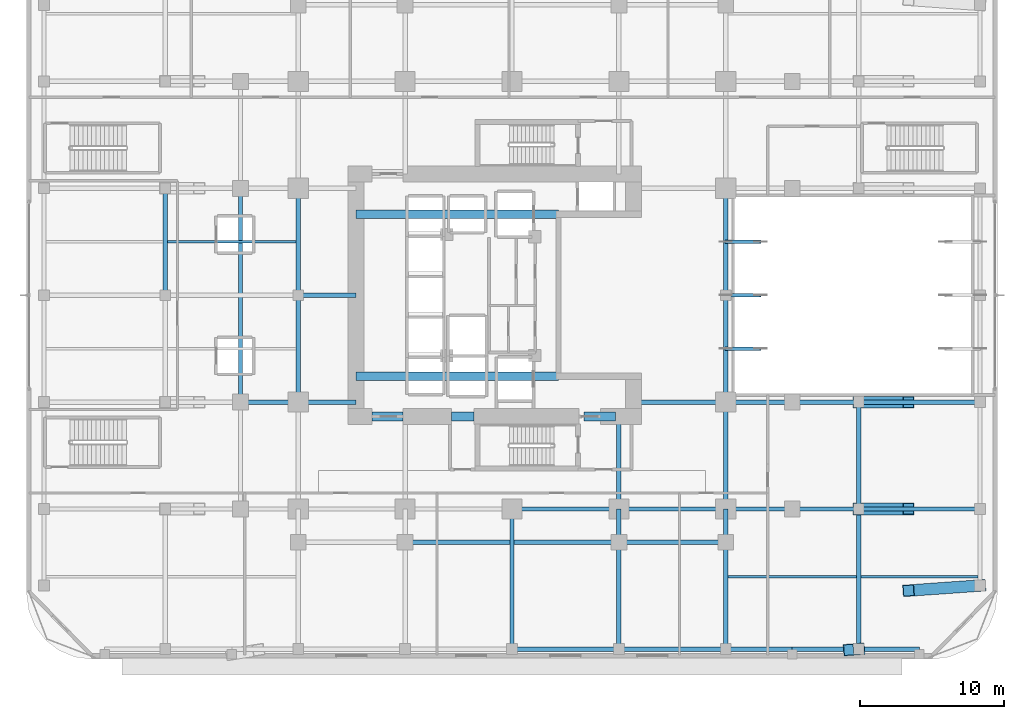
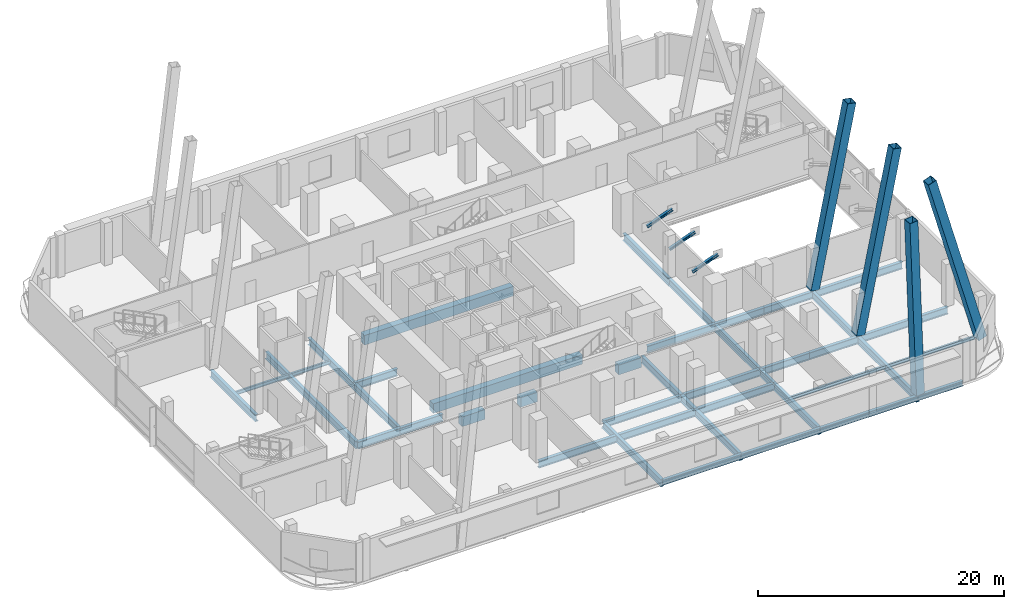
# One storey, part 5 of 23: 42 beams, 7 members.
"""IFC4 building model written with IfcOpenShell, lengths in metres."""

from ifc_helpers import new_model, si_unit, direction, frame, origin, origin_2d, place, context, subcontext, project, spatial, rectangle, hollow_rectangle, i_section, extrude, material, material_profile, profile_set, type_object, element, save


model = new_model("IFC4")

# Units and contexts
model_context = context("Model", 3, precision=1e-05, world=origin(), true_north=direction((0.0, 1.0)))
body_context = subcontext(model_context, "Body", "Model", "MODEL_VIEW")
ifc_project = project(units=[si_unit("LENGTHUNIT", "METRE"), si_unit("AREAUNIT", "SQUARE_METRE"), si_unit("VOLUMEUNIT", "CUBIC_METRE"), si_unit("PLANEANGLEUNIT", "RADIAN"), si_unit("MASSUNIT", "GRAM", prefix="KILO")], contexts=[model_context])

# Site, building, storey
site_placement = place(None, origin())
site = spatial("IfcSite", under=ifc_project, at=site_placement, CompositionType="ELEMENT")
building_placement = place(site_placement, origin())
building = spatial("IfcBuilding", under=site, at=building_placement, Name="Khorvyn Point Tower", CompositionType="ELEMENT")
storey_placement = place(building_placement, frame((0.0, 0.0, 9.0)))
storey = spatial("IfcBuildingStorey", under=building, at=storey_placement, Name="L03", CompositionType="ELEMENT", Elevation=9.0)

# Beams
ifc_material_1 = material(Name="Concrete C50/60", Category="concrete")
ifc_material_profile_1 = material_profile(ifc_material_1, rectangle(XDim=0.60009765625, YDim=0.949951171875, at=origin_2d()))
ifc_profile_set_1 = profile_set([ifc_material_profile_1], Name="Concrete C50/60 RC600x950")
beam_type_1 = type_object("IfcBeamType", Name="Concrete C50/60 Beam RC600x950", PredefinedType="BEAM", material=ifc_profile_set_1)
for number, where, z_axis, x_axis, name in (
    (1, (-10.800048828125, -5.60009765625, -0.715087890625), (1.0, 0.0, 0.0), (0.0, 1.0, 0.0), "L03 Core Internal Tie Girder S"),
    (2, (-10.800048828125, 5.60009765625, -0.715087890625), (1.0, 0.0, 0.0), (0.0, 1.0, 0.0), "L03 Core Internal Tie Girder N"),
):
    element("IfcBeam", number, at=place(storey_placement, frame(where, z_axis=z_axis, x_axis=x_axis)), inside=storey, type_object=beam_type_1, Name=name, PredefinedType="BEAM", context=body_context, shape_type="SweptSolid", body=[
        extrude(rectangle(XDim=0.60009765625, YDim=0.949951171875, at=origin_2d()), origin(), (0.0, 0.0, 1.0), 14.02001953125),
    ])
beam_1_placement = place(storey_placement, frame((-9.699951171875, -8.39990234375, -0.715087890625), z_axis=(1.0, 0.0, 0.0), x_axis=(0.0, 1.0, 0.0)))
element("IfcBeam", 3, at=beam_1_placement, inside=storey, type_object=beam_type_1, Name="L03 Core Southwest Portal Coupling Beam", PredefinedType="BEAM", context=body_context, shape_type="SweptSolid", body=[
    extrude(rectangle(XDim=0.60009765625, YDim=0.949951171875, at=origin_2d()), origin(), (0.0, 0.0, 1.0), 2.14990234375),
])
beam_2_placement = place(storey_placement, frame((-4.199951171875, -8.39990234375, -0.715087890625), z_axis=(1.0, 0.0, 0.0), x_axis=(0.0, 1.0, 0.0)))
element("IfcBeam", 4, at=beam_2_placement, inside=storey, type_object=beam_type_1, Name="L03 Core Shuttle Portal Coupling Beam", PredefinedType="BEAM", context=body_context, shape_type="SweptSolid", body=[
    extrude(rectangle(XDim=0.60009765625, YDim=0.949951171875, at=origin_2d()), origin(), (0.0, 0.0, 1.0), 1.579833984375),
])
beam_3_placement = place(storey_placement, frame((5.0, -8.39990234375, -0.715087890625), z_axis=(1.0, 0.0, 0.0), x_axis=(0.0, 1.0, 0.0)))
element("IfcBeam", 5, at=beam_3_placement, inside=storey, type_object=beam_type_1, Name="L03 Core Southeast Portal Coupling Beam", PredefinedType="BEAM", context=body_context, shape_type="SweptSolid", body=[
    extrude(rectangle(XDim=0.60009765625, YDim=0.949951171875, at=origin_2d()), origin(), (0.0, 0.0, 1.0), 2.14990234375),
])
ifc_material_2 = material(Name="Steel S355", Category="steel")
ifc_material_profile_2 = material_profile(ifc_material_2, i_section(OverallWidth=0.300048828125, OverallDepth=0.699951171875, WebThickness=0.012939453125, FlangeThickness=0.02392578125, at=origin_2d()))
ifc_profile_set_2 = profile_set([ifc_material_profile_2], Name="Steel S355 H700x300x13x24")
beam_type_2 = type_object("IfcBeamType", Name="Steel S355 Beam H700x300x13x24", PredefinedType="BEAM", material=ifc_profile_set_2)
beam_4_placement = place(storey_placement, frame((0.0, -14.800048828125, -0.590087890625), z_axis=(1.0, 0.0, 0.0), x_axis=(0.0, 1.0, 0.0)))
element("IfcBeam", 6, at=beam_4_placement, inside=storey, type_object=beam_type_2, Name="Beam", PredefinedType="BEAM", context=body_context, shape_type="SweptSolid", body=[
    extrude(i_section(OverallWidth=0.300048828125, OverallDepth=0.699951171875, WebThickness=0.012939453125, FlangeThickness=0.02392578125, at=origin_2d()), origin(), (0.0, 0.0, 1.0), 7.39990234375),
])
beam_5_placement = place(storey_placement, frame((7.39990234375, -14.800048828125, -0.590087890625), z_axis=(1.0, 0.0, 0.0), x_axis=(0.0, 1.0, 0.0)))
element("IfcBeam", 7, at=beam_5_placement, inside=storey, type_object=beam_type_2, Name="Beam", PredefinedType="BEAM", context=body_context, shape_type="SweptSolid", body=[
    extrude(i_section(OverallWidth=0.300048828125, OverallDepth=0.699951171875, WebThickness=0.012939453125, FlangeThickness=0.02392578125, at=origin_2d()), origin(), (0.0, 0.0, 1.0), 7.400146484375),
])
beam_6_placement = place(storey_placement, frame((14.800048828125, -14.800048828125, -0.590087890625), z_axis=(1.0, 0.0, 0.0), x_axis=(0.0, 1.0, 0.0)))
element("IfcBeam", 8, at=beam_6_placement, inside=storey, type_object=beam_type_2, Name="Beam", PredefinedType="BEAM", context=body_context, shape_type="SweptSolid", body=[
    extrude(i_section(OverallWidth=0.300048828125, OverallDepth=0.699951171875, WebThickness=0.012939453125, FlangeThickness=0.02392578125, at=origin_2d()), origin(), (0.0, 0.0, 1.0), 4.599853515625),
])
beam_7_placement = place(storey_placement, frame((19.39990234375, -14.800048828125, -0.590087890625), z_axis=(1.0, 0.0, 0.0), x_axis=(0.0, 1.0, 0.0)))
element("IfcBeam", 9, at=beam_7_placement, inside=storey, type_object=beam_type_2, Name="Beam", PredefinedType="BEAM", context=body_context, shape_type="SweptSolid", body=[
    extrude(i_section(OverallWidth=0.300048828125, OverallDepth=0.699951171875, WebThickness=0.012939453125, FlangeThickness=0.02392578125, at=origin_2d()), origin(), (0.0, 0.0, 1.0), 4.60009765625),
])
beam_8_placement = place(storey_placement, frame((24.0, -14.800048828125, -0.590087890625), z_axis=(1.0, 0.0, 0.0), x_axis=(0.0, 1.0, 0.0)))
element("IfcBeam", 10, at=beam_8_placement, inside=storey, type_object=beam_type_2, Name="Beam", PredefinedType="BEAM", context=body_context, shape_type="SweptSolid", body=[
    extrude(i_section(OverallWidth=0.300048828125, OverallDepth=0.699951171875, WebThickness=0.012939453125, FlangeThickness=0.02392578125, at=origin_2d()), origin(), (0.0, 0.0, 1.0), 8.39990234375),
])
for number, where, z_axis, x_axis, name in (
    (11, (-18.800048828125, -7.39990234375, -0.590087890625), (1.0, 0.0, 0.0), (0.0, 1.0, 0.0), "Beam"),
    (12, (-14.800048828125, -7.39990234375, -0.590087890625), (1.0, 0.0, 0.0), (0.0, 1.0, 0.0), "Beam"),
):
    element("IfcBeam", number, at=place(storey_placement, frame(where, z_axis=z_axis, x_axis=x_axis)), inside=storey, type_object=beam_type_2, Name=name, PredefinedType="BEAM", context=body_context, shape_type="SweptSolid", body=[
        extrude(i_section(OverallWidth=0.300048828125, OverallDepth=0.699951171875, WebThickness=0.012939453125, FlangeThickness=0.02392578125, at=origin_2d()), origin(), (0.0, 0.0, 1.0), 4.0),
    ])
beam_9_placement = place(storey_placement, frame((8.39990234375, -7.39990234375, -0.590087890625), z_axis=(1.0, 0.0, 0.0), x_axis=(0.0, 1.0, 0.0)))
element("IfcBeam", 13, at=beam_9_placement, inside=storey, type_object=beam_type_2, Name="Beam", PredefinedType="BEAM", context=body_context, shape_type="SweptSolid", body=[
    extrude(i_section(OverallWidth=0.300048828125, OverallDepth=0.699951171875, WebThickness=0.012939453125, FlangeThickness=0.02392578125, at=origin_2d()), origin(), (0.0, 0.0, 1.0), 6.400146484375),
])
beam_10_placement = place(storey_placement, frame((14.800048828125, -7.39990234375, -0.590087890625), z_axis=(1.0, 0.0, 0.0), x_axis=(0.0, 1.0, 0.0)))
element("IfcBeam", 14, at=beam_10_placement, inside=storey, type_object=beam_type_2, Name="Beam", PredefinedType="BEAM", context=body_context, shape_type="SweptSolid", body=[
    extrude(i_section(OverallWidth=0.300048828125, OverallDepth=0.699951171875, WebThickness=0.012939453125, FlangeThickness=0.02392578125, at=origin_2d()), origin(), (0.0, 0.0, 1.0), 4.599853515625),
])
beam_11_placement = place(storey_placement, frame((19.39990234375, -7.39990234375, -0.590087890625), z_axis=(1.0, 0.0, 0.0), x_axis=(0.0, 1.0, 0.0)))
element("IfcBeam", 15, at=beam_11_placement, inside=storey, type_object=beam_type_2, Name="Beam", PredefinedType="BEAM", context=body_context, shape_type="SweptSolid", body=[
    extrude(i_section(OverallWidth=0.300048828125, OverallDepth=0.699951171875, WebThickness=0.012939453125, FlangeThickness=0.02392578125, at=origin_2d()), origin(), (0.0, 0.0, 1.0), 4.60009765625),
])
beam_12_placement = place(storey_placement, frame((24.0, -7.39990234375, -0.590087890625), z_axis=(1.0, 0.0, 0.0), x_axis=(0.0, 1.0, 0.0)))
element("IfcBeam", 16, at=beam_12_placement, inside=storey, type_object=beam_type_2, Name="Beam", PredefinedType="BEAM", context=body_context, shape_type="SweptSolid", body=[
    extrude(i_section(OverallWidth=0.300048828125, OverallDepth=0.699951171875, WebThickness=0.012939453125, FlangeThickness=0.02392578125, at=origin_2d()), origin(), (0.0, 0.0, 1.0), 8.39990234375),
])
beam_13_placement = place(storey_placement, frame((-14.800048828125, 0.0, -0.590087890625), z_axis=(1.0, 0.0, 0.0), x_axis=(0.0, 1.0, 0.0)))
element("IfcBeam", 17, at=beam_13_placement, inside=storey, type_object=beam_type_2, Name="Beam", PredefinedType="BEAM", context=body_context, shape_type="SweptSolid", body=[
    extrude(i_section(OverallWidth=0.300048828125, OverallDepth=0.699951171875, WebThickness=0.012939453125, FlangeThickness=0.02392578125, at=origin_2d()), origin(), (0.0, 0.0, 1.0), 4.0),
])
beam_14_placement = place(storey_placement, frame((-7.39990234375, -17.10009765625, -0.590087890625), z_axis=(1.0, 0.0, 0.0), x_axis=(0.0, 1.0, 0.0)))
element("IfcBeam", 18, at=beam_14_placement, inside=storey, type_object=beam_type_2, Name="Beam", PredefinedType="BEAM", context=body_context, shape_type="SweptSolid", body=[
    extrude(i_section(OverallWidth=0.300048828125, OverallDepth=0.699951171875, WebThickness=0.012939453125, FlangeThickness=0.02392578125, at=origin_2d()), origin(), (0.0, 0.0, 1.0), 14.7998046875),
])
beam_15_placement = place(storey_placement, frame((7.39990234375, -17.10009765625, -0.590087890625), z_axis=(1.0, 0.0, 0.0), x_axis=(0.0, 1.0, 0.0)))
element("IfcBeam", 19, at=beam_15_placement, inside=storey, type_object=beam_type_2, Name="Beam", PredefinedType="BEAM", context=body_context, shape_type="SweptSolid", body=[
    extrude(i_section(OverallWidth=0.300048828125, OverallDepth=0.699951171875, WebThickness=0.012939453125, FlangeThickness=0.02392578125, at=origin_2d()), origin(), (0.0, 0.0, 1.0), 7.400146484375),
])
for number, where, z_axis, x_axis, name in (
    (20, (-24.0, 0.0, -0.590087890625), (0.0, 1.0, 0.0), (-1.0, 0.0, 0.0), "Beam"),
    (21, (-14.800048828125, -7.39990234375, -0.590087890625), (0.0, 1.0, 0.0), (-1.0, 0.0, 0.0), "Beam"),
    (22, (-14.800048828125, 0.0, -0.590087890625), (0.0, 1.0, 0.0), (-1.0, 0.0, 0.0), "Beam"),
):
    element("IfcBeam", number, at=place(storey_placement, frame(where, z_axis=z_axis, x_axis=x_axis)), inside=storey, type_object=beam_type_2, Name=name, PredefinedType="BEAM", context=body_context, shape_type="SweptSolid", body=[
        extrude(i_section(OverallWidth=0.300048828125, OverallDepth=0.699951171875, WebThickness=0.012939453125, FlangeThickness=0.02392578125, at=origin_2d()), origin(), (0.0, 0.0, 1.0), 7.39990234375),
    ])
beam_16_placement = place(storey_placement, frame((0.0, -24.5, -0.590087890625), z_axis=(0.0, 1.0, 0.0), x_axis=(-1.0, 0.0, 0.0)))
element("IfcBeam", 23, at=beam_16_placement, inside=storey, type_object=beam_type_2, Name="Beam", PredefinedType="BEAM", context=body_context, shape_type="SweptSolid", body=[
    extrude(i_section(OverallWidth=0.300048828125, OverallDepth=0.699951171875, WebThickness=0.012939453125, FlangeThickness=0.02392578125, at=origin_2d()), origin(), (0.0, 0.0, 1.0), 9.699951171875),
])
beam_17_placement = place(storey_placement, frame((7.39990234375, -24.5, -0.590087890625), z_axis=(0.0, 1.0, 0.0), x_axis=(-1.0, 0.0, 0.0)))
element("IfcBeam", 24, at=beam_17_placement, inside=storey, type_object=beam_type_2, Name="Beam", PredefinedType="BEAM", context=body_context, shape_type="SweptSolid", body=[
    extrude(i_section(OverallWidth=0.300048828125, OverallDepth=0.699951171875, WebThickness=0.012939453125, FlangeThickness=0.02392578125, at=origin_2d()), origin(), (0.0, 0.0, 1.0), 7.39990234375),
])
beam_18_placement = place(storey_placement, frame((7.39990234375, -17.10009765625, -0.590087890625), z_axis=(0.0, 1.0, 0.0), x_axis=(-1.0, 0.0, 0.0)))
element("IfcBeam", 25, at=beam_18_placement, inside=storey, type_object=beam_type_2, Name="Beam", PredefinedType="BEAM", context=body_context, shape_type="SweptSolid", body=[
    extrude(i_section(OverallWidth=0.300048828125, OverallDepth=0.699951171875, WebThickness=0.012939453125, FlangeThickness=0.02392578125, at=origin_2d()), origin(), (0.0, 0.0, 1.0), 2.300048828125),
])
beam_19_placement = place(storey_placement, frame((7.39990234375, -14.800048828125, -0.590087890625), z_axis=(0.0, 1.0, 0.0), x_axis=(-1.0, 0.0, 0.0)))
element("IfcBeam", 26, at=beam_19_placement, inside=storey, type_object=beam_type_2, Name="Beam", PredefinedType="BEAM", context=body_context, shape_type="SweptSolid", body=[
    extrude(i_section(OverallWidth=0.300048828125, OverallDepth=0.699951171875, WebThickness=0.012939453125, FlangeThickness=0.02392578125, at=origin_2d()), origin(), (0.0, 0.0, 1.0), 6.400146484375),
])
beam_20_placement = place(storey_placement, frame((14.800048828125, -24.5, -0.590087890625), z_axis=(0.0, 1.0, 0.0), x_axis=(-1.0, 0.0, 0.0)))
element("IfcBeam", 27, at=beam_20_placement, inside=storey, type_object=beam_type_2, Name="Beam", PredefinedType="BEAM", context=body_context, shape_type="SweptSolid", body=[
    extrude(i_section(OverallWidth=0.300048828125, OverallDepth=0.699951171875, WebThickness=0.012939453125, FlangeThickness=0.02392578125, at=origin_2d()), origin(), (0.0, 0.0, 1.0), 7.39990234375),
])
beam_21_placement = place(storey_placement, frame((14.800048828125, -17.10009765625, -0.590087890625), z_axis=(0.0, 1.0, 0.0), x_axis=(-1.0, 0.0, 0.0)))
element("IfcBeam", 28, at=beam_21_placement, inside=storey, type_object=beam_type_2, Name="Beam", PredefinedType="BEAM", context=body_context, shape_type="SweptSolid", body=[
    extrude(i_section(OverallWidth=0.300048828125, OverallDepth=0.699951171875, WebThickness=0.012939453125, FlangeThickness=0.02392578125, at=origin_2d()), origin(), (0.0, 0.0, 1.0), 2.300048828125),
])
beam_22_placement = place(storey_placement, frame((14.800048828125, -14.800048828125, -0.590087890625), z_axis=(0.0, 1.0, 0.0), x_axis=(-1.0, 0.0, 0.0)))
element("IfcBeam", 29, at=beam_22_placement, inside=storey, type_object=beam_type_2, Name="Beam", PredefinedType="BEAM", context=body_context, shape_type="SweptSolid", body=[
    extrude(i_section(OverallWidth=0.300048828125, OverallDepth=0.699951171875, WebThickness=0.012939453125, FlangeThickness=0.02392578125, at=origin_2d()), origin(), (0.0, 0.0, 1.0), 7.400146484375),
])
for number, where, z_axis, x_axis, name in (
    (30, (14.800048828125, -7.39990234375, -0.590087890625), (0.0, 1.0, 0.0), (-1.0, 0.0, 0.0), "Beam"),
    (31, (14.800048828125, 0.0, -0.590087890625), (0.0, 1.0, 0.0), (-1.0, 0.0, 0.0), "Beam"),
):
    element("IfcBeam", number, at=place(storey_placement, frame(where, z_axis=z_axis, x_axis=x_axis)), inside=storey, type_object=beam_type_2, Name=name, PredefinedType="BEAM", context=body_context, shape_type="SweptSolid", body=[
        extrude(i_section(OverallWidth=0.300048828125, OverallDepth=0.699951171875, WebThickness=0.012939453125, FlangeThickness=0.02392578125, at=origin_2d()), origin(), (0.0, 0.0, 1.0), 7.39990234375),
    ])
beam_23_placement = place(storey_placement, frame((24.0, -24.5, -0.590087890625), z_axis=(0.0, 1.0, 0.0), x_axis=(-1.0, 0.0, 0.0)))
element("IfcBeam", 32, at=beam_23_placement, inside=storey, type_object=beam_type_2, Name="Beam", PredefinedType="BEAM", context=body_context, shape_type="SweptSolid", body=[
    extrude(i_section(OverallWidth=0.300048828125, OverallDepth=0.699951171875, WebThickness=0.012939453125, FlangeThickness=0.02392578125, at=origin_2d()), origin(), (0.0, 0.0, 1.0), 9.699951171875),
])
beam_24_placement = place(storey_placement, frame((24.0, -14.800048828125, -0.590087890625), z_axis=(0.0, 1.0, 0.0), x_axis=(-1.0, 0.0, 0.0)))
element("IfcBeam", 33, at=beam_24_placement, inside=storey, type_object=beam_type_2, Name="Beam", PredefinedType="BEAM", context=body_context, shape_type="SweptSolid", body=[
    extrude(i_section(OverallWidth=0.300048828125, OverallDepth=0.699951171875, WebThickness=0.012939453125, FlangeThickness=0.02392578125, at=origin_2d()), origin(), (0.0, 0.0, 1.0), 7.400146484375),
])
beam_25_placement = place(storey_placement, frame((-18.800048828125, -7.39990234375, -0.590087890625), z_axis=(0.0, 1.0, 0.0), x_axis=(-1.0, 0.0, 0.0)))
element("IfcBeam", 34, at=beam_25_placement, inside=storey, type_object=beam_type_2, Name="Beam", PredefinedType="BEAM", context=body_context, shape_type="SweptSolid", body=[
    extrude(i_section(OverallWidth=0.300048828125, OverallDepth=0.699951171875, WebThickness=0.012939453125, FlangeThickness=0.02392578125, at=origin_2d()), origin(), (0.0, 0.0, 1.0), 14.7998046875),
])
ifc_material_profile_3 = material_profile(ifc_material_2, i_section(OverallWidth=0.175048828125, OverallDepth=0.35009765625, WebThickness=0.007080078125, FlangeThickness=0.010986328125, at=origin_2d()))
ifc_profile_set_3 = profile_set([ifc_material_profile_3], Name="Steel S355 H350x175x7x11")
beam_type_3 = type_object("IfcBeamType", Name="Steel S355 Joist H350x175x7x11", PredefinedType="JOIST", material=ifc_profile_set_3)
beam_26_placement = place(storey_placement, frame((14.949951171875, -19.5, -0.4150390625), z_axis=(1.0, 0.0, 0.0), x_axis=(0.0, 1.0, 0.0)))
element("IfcBeam", 35, at=beam_26_placement, inside=storey, type_object=beam_type_3, Name="Beam", PredefinedType="JOIST", context=body_context, shape_type="SweptSolid", body=[
    extrude(i_section(OverallWidth=0.175048828125, OverallDepth=0.35009765625, WebThickness=0.007080078125, FlangeThickness=0.010986328125, at=origin_2d()), origin(), (0.0, 0.0, 1.0), 8.900146484375),
])
beam_27_placement = place(storey_placement, frame((24.14990234375, -19.5, -0.4150390625), z_axis=(1.0, 0.0, 0.0), x_axis=(0.0, 1.0, 0.0)))
element("IfcBeam", 36, at=beam_27_placement, inside=storey, type_object=beam_type_3, Name="Beam", PredefinedType="JOIST", context=body_context, shape_type="SweptSolid", body=[
    extrude(i_section(OverallWidth=0.175048828125, OverallDepth=0.35009765625, WebThickness=0.007080078125, FlangeThickness=0.010986328125, at=origin_2d()), origin(), (0.0, 0.0, 1.0), 8.10009765625),
])
beam_28_placement = place(storey_placement, frame((-23.85009765625, 3.699951171875, -0.4150390625), z_axis=(1.0, 0.0, 0.0), x_axis=(0.0, 1.0, 0.0)))
element("IfcBeam", 37, at=beam_28_placement, inside=storey, type_object=beam_type_3, Name="Beam", PredefinedType="JOIST", context=body_context, shape_type="SweptSolid", body=[
    extrude(i_section(OverallWidth=0.175048828125, OverallDepth=0.35009765625, WebThickness=0.007080078125, FlangeThickness=0.010986328125, at=origin_2d()), origin(), (0.0, 0.0, 1.0), 8.900146484375),
])
ifc_material_profile_4 = material_profile(ifc_material_2, i_section(OverallWidth=0.300048828125, OverallDepth=0.488037109375, WebThickness=0.010986328125, FlangeThickness=0.01806640625, at=origin_2d()))
ifc_profile_set_4 = profile_set([ifc_material_profile_4], Name="Steel S355 H488x300x11x18")
beam_type_4 = type_object("IfcBeamType", Name="Steel S355 Spandrel H488x300x11x18", PredefinedType="SPANDREL", material=ifc_profile_set_4)
beam_29_placement = place(storey_placement, frame((0.0, -24.5, -0.48388671875), z_axis=(1.0, 0.0, 0.0), x_axis=(0.0, 1.0, 0.0)))
element("IfcBeam", 38, at=beam_29_placement, inside=storey, type_object=beam_type_4, Name="Beam", PredefinedType="SPANDREL", context=body_context, shape_type="SweptSolid", body=[
    extrude(i_section(OverallWidth=0.300048828125, OverallDepth=0.488037109375, WebThickness=0.010986328125, FlangeThickness=0.01806640625, at=origin_2d()), origin(), (0.0, 0.0, 1.0), 7.39990234375),
])
beam_30_placement = place(storey_placement, frame((7.39990234375, -24.5, -0.48388671875), z_axis=(1.0, 0.0, 0.0), x_axis=(0.0, 1.0, 0.0)))
element("IfcBeam", 39, at=beam_30_placement, inside=storey, type_object=beam_type_4, Name="Beam", PredefinedType="SPANDREL", context=body_context, shape_type="SweptSolid", body=[
    extrude(i_section(OverallWidth=0.300048828125, OverallDepth=0.488037109375, WebThickness=0.010986328125, FlangeThickness=0.01806640625, at=origin_2d()), origin(), (0.0, 0.0, 1.0), 7.400146484375),
])
beam_31_placement = place(storey_placement, frame((14.800048828125, -24.5, -0.48388671875), z_axis=(1.0, 0.0, 0.0), x_axis=(0.0, 1.0, 0.0)))
element("IfcBeam", 40, at=beam_31_placement, inside=storey, type_object=beam_type_4, Name="Beam", PredefinedType="SPANDREL", context=body_context, shape_type="SweptSolid", body=[
    extrude(i_section(OverallWidth=0.300048828125, OverallDepth=0.488037109375, WebThickness=0.010986328125, FlangeThickness=0.01806640625, at=origin_2d()), origin(), (0.0, 0.0, 1.0), 4.599853515625),
])
beam_32_placement = place(storey_placement, frame((19.39990234375, -24.5, -0.48388671875), z_axis=(1.0, 0.0, 0.0), x_axis=(0.0, 1.0, 0.0)))
element("IfcBeam", 41, at=beam_32_placement, inside=storey, type_object=beam_type_4, Name="Beam", PredefinedType="SPANDREL", context=body_context, shape_type="SweptSolid", body=[
    extrude(i_section(OverallWidth=0.300048828125, OverallDepth=0.488037109375, WebThickness=0.010986328125, FlangeThickness=0.01806640625, at=origin_2d()), origin(), (0.0, 0.0, 1.0), 4.60009765625),
])
beam_33_placement = place(storey_placement, frame((24.0, -24.5, -0.48388671875), z_axis=(1.0, 0.0, 0.0), x_axis=(0.0, 1.0, 0.0)))
element("IfcBeam", 42, at=beam_33_placement, inside=storey, type_object=beam_type_4, Name="Beam", PredefinedType="SPANDREL", context=body_context, shape_type="SweptSolid", body=[
    extrude(i_section(OverallWidth=0.300048828125, OverallDepth=0.488037109375, WebThickness=0.010986328125, FlangeThickness=0.01806640625, at=origin_2d()), origin(), (0.0, 0.0, 1.0), 4.199951171875),
])

# Members
ifc_material_profile_5 = material_profile(ifc_material_2, i_section(OverallWidth=0.25, OverallDepth=0.25, WebThickness=0.009033203125, FlangeThickness=0.013916015625, at=origin_2d()))
ifc_profile_set_5 = profile_set([ifc_material_profile_5], Name="Steel S355 H250x250x9x14")
member_type_1 = type_object("IfcMemberType", Name="Steel S355 Truss Brace H250x250x9x14", PredefinedType="BRACE", material=ifc_profile_set_5)
for number, where, z_axis, x_axis, name in (
    (43, (14.800048828125, -3.699951171875, 2.610107421875), (0.93633700635, 0.0, 0.351102564131), (0.0, 1.0, 0.0), "L03 Gym Roof Knee Brace W1"),
    (44, (14.800048828125, 0.0, 2.610107421875), (0.93633700635, 0.0, 0.351102564131), (0.0, 1.0, 0.0), "L03 Gym Roof Knee Brace W2"),
    (45, (14.800048828125, 3.699951171875, 2.610107421875), (0.93633700635, 0.0, 0.351102564131), (0.0, 1.0, 0.0), "L03 Gym Roof Knee Brace W3"),
):
    element("IfcMember", number, at=place(storey_placement, frame(where, z_axis=z_axis, x_axis=x_axis)), inside=storey, type_object=member_type_1, Name=name, PredefinedType="BRACE", context=body_context, shape_type="SweptSolid", body=[
        extrude(i_section(OverallWidth=0.25, OverallDepth=0.25, WebThickness=0.009033203125, FlangeThickness=0.013916015625, at=origin_2d()), origin(), (0.0, 0.0, 1.0), 2.56298828125),
    ])
ifc_material_3 = material(Name="Steel S450", Category="steel")
ifc_material_profile_6 = material_profile(ifc_material_3, hollow_rectangle(XDim=0.800048828125, YDim=0.800048828125, WallThickness=0.035888671875, at=origin_2d()))
ifc_profile_set_6 = profile_set([ifc_material_profile_6], Name="Steel S450 BOX800x800x36")
member_type_2 = type_object("IfcMemberType", Name="Steel S450 Exoskeleton Structural Post BOX800x800x36", PredefinedType="POST", material=ifc_profile_set_6)
member_1_placement = place(storey_placement, frame((24.0, -24.5, 0.0), z_axis=(-0.037324738112, -0.002874369389, 0.999299055301), x_axis=(0.076782424412, -0.997047872121, 0.0)))
element("IfcMember", 46, at=member_1_placement, inside=storey, type_object=member_type_2, Name="L03 to L07 Exoskeleton Transfer Post 02", PredefinedType="POST", context=body_context, shape_type="SweptSolid", body=[
    extrude(hollow_rectangle(XDim=0.800048828125, YDim=0.800048828125, WallThickness=0.035888671875, at=origin_2d()), origin(), (0.0, 0.0, 1.0), 17.412109375),
])
member_2_placement = place(storey_placement, frame((32.39990234375, -20.10009765625, 0.0), z_axis=(-0.273573589696, -0.019335682073, 0.961656707157), x_axis=(0.070502300707, -0.997511616772, 0.0)))
element("IfcMember", 47, at=member_2_placement, inside=storey, type_object=member_type_2, Name="L03 to L07 Exoskeleton Transfer Post 07", PredefinedType="POST", context=body_context, shape_type="SweptSolid", body=[
    extrude(hollow_rectangle(XDim=0.800048828125, YDim=0.800048828125, WallThickness=0.035888671875, at=origin_2d()), origin(), (0.0, 0.0, 1.0), 18.09375),
])
for number, where, z_axis, x_axis, name in (
    (48, (24.0, -14.800048828125, 0.0), (0.194488099174, 0.0, 0.980904877794), (0.0, 1.0, 0.0), "L03 to L07 Exoskeleton Transfer Post 10"),
    (49, (24.0, -7.39990234375, 0.0), (0.194488099174, 0.0, 0.980904877794), (0.0, 1.0, 0.0), "L03 to L07 Exoskeleton Transfer Post 12"),
):
    element("IfcMember", number, at=place(storey_placement, frame(where, z_axis=z_axis, x_axis=x_axis)), inside=storey, type_object=member_type_2, Name=name, PredefinedType="POST", context=body_context, shape_type="SweptSolid", body=[
        extrude(hollow_rectangle(XDim=0.800048828125, YDim=0.800048828125, WallThickness=0.035888671875, at=origin_2d()), origin(), (0.0, 0.0, 1.0), 17.738525390625),
    ])

save(model, "model.ifc")
